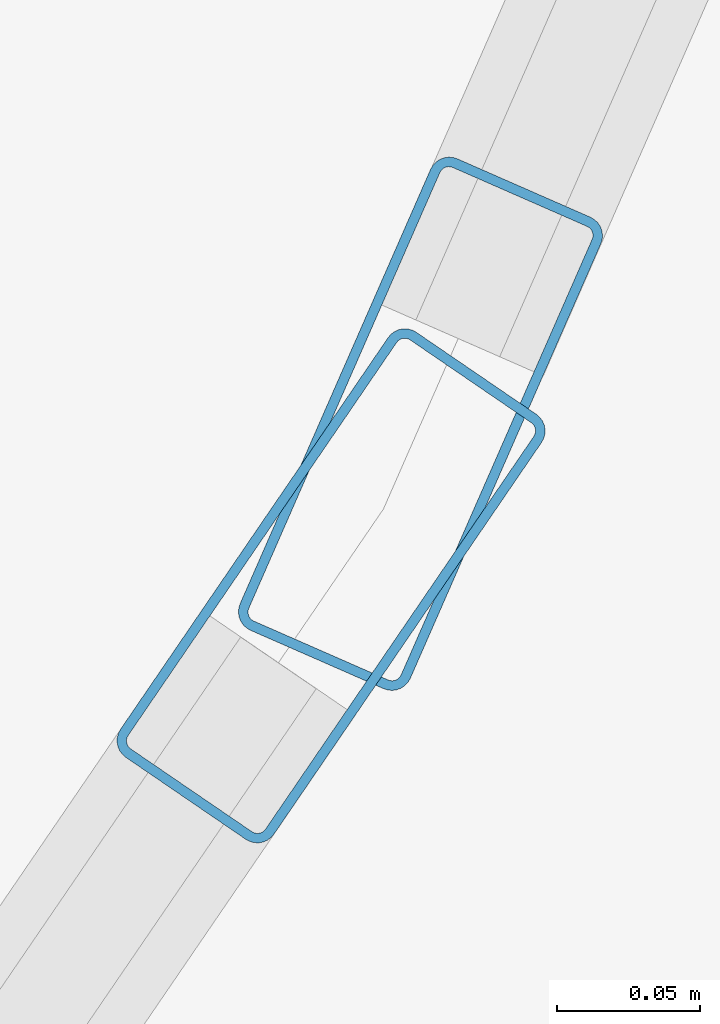
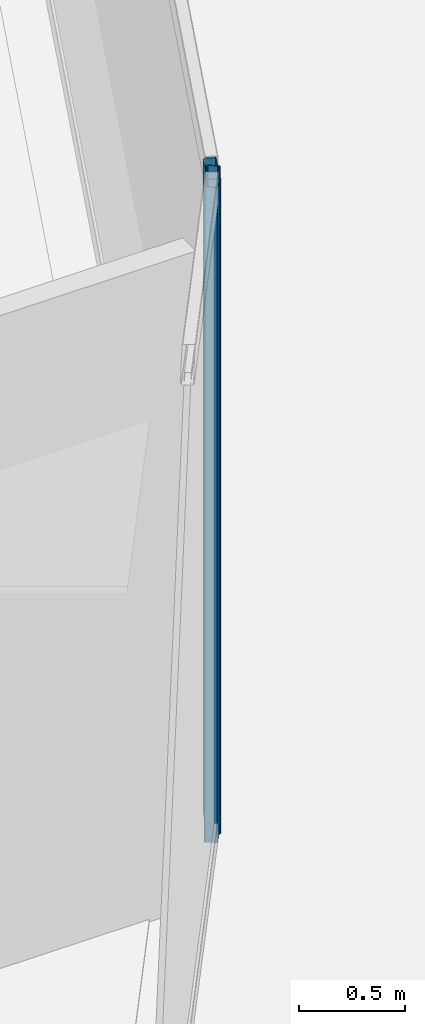
# One storey, part 10 of 44: 2 members, 2 elements without a shape of their own.
"""IFC4 building model written with IfcOpenShell, lengths in metres."""

from ifc_helpers import new_model, si_unit, direction, frame, origin, origin_2d, place, context, subcontext, project, spatial, hollow_rectangle, extrude, material, layer, layer_set, material_profile, profile_set, type_object, element, aggregate, save


model = new_model("IFC4")

# Units and contexts
model_context = context("Model", 3, precision=1e-05, world=origin(), true_north=direction((0.0, 1.0)))
body_context = subcontext(model_context, "Body", "Model", "MODEL_VIEW")
ifc_project = project(units=[si_unit("LENGTHUNIT", "METRE"), si_unit("AREAUNIT", "SQUARE_METRE"), si_unit("VOLUMEUNIT", "CUBIC_METRE"), si_unit("PLANEANGLEUNIT", "RADIAN"), si_unit("MASSUNIT", "GRAM", prefix="KILO")], contexts=[model_context])

# Site, building, storey
site_placement = place(None, origin())
site = spatial("IfcSite", under=ifc_project, at=site_placement, CompositionType="ELEMENT")
building_placement = place(site_placement, origin())
building = spatial("IfcBuilding", under=site, at=building_placement, Name="Qorvath Tower", CompositionType="ELEMENT")
storey_placement = place(building_placement, frame((0.0, 0.0, 113.85009765625)))
storey = spatial("IfcBuildingStorey", under=building, at=storey_placement, Name="L25", CompositionType="ELEMENT", Elevation=113.85009765625)

# Curtain wall, member
ifc_material_1 = material(Name="Anodised aluminium and triple low-E glass", Category="aluminium")
ifc_layer = layer(ifc_material_1, 0.179931640625)
ifc_layer_set = layer_set([ifc_layer], Name="CW-SYS-2")
curtain_wall_type = type_object("IfcCurtainWallType", Name="CW-SYS-2", PredefinedType="NOTDEFINED", material=ifc_layer_set)
curtain_wall_1_placement = place(storey_placement, origin())
curtain_wall_1 = element("IfcCurtainWall", 1, at=curtain_wall_1_placement, inside=storey, type_object=curtain_wall_type, Name="Curtain Wall CW-2 CW-T-L25-5.1", PredefinedType="NOTDEFINED")
ifc_material_2 = material(Name="Anodised aluminium 6063-T6", Category="aluminium")
ifc_material_profile = material_profile(ifc_material_2, hollow_rectangle(XDim=0.06494140625, YDim=0.179931640625, WallThickness=0.00341796875, InnerFilletRadius=0.00341796875, OuterFilletRadius=0.007080078125, at=origin_2d()), Name="CWM 180x65")
ifc_profile_set = profile_set([ifc_material_profile], Name="Anodised aluminium 6063-T6")
member_type = type_object("IfcMemberType", Name="CWM-180", PredefinedType="MULLION", material=ifc_profile_set)
member_1_placement = place(storey_placement, frame((0.60400390625, -18.207763671875, 0.0), z_axis=(0.0, 0.0, 1.0), x_axis=(-0.825695001763, 0.564116800019, 0.0)))
member_1 = element("IfcMember", 2, at=member_1_placement, type_object=member_type, Name="CW-2 mullion 2", PredefinedType="MULLION", context=body_context, shape_type="SweptSolid", body=[
    extrude(hollow_rectangle(XDim=0.06494140625, YDim=0.179931640625, WallThickness=0.00341796875, InnerFilletRadius=0.00341796875, OuterFilletRadius=0.007080078125, at=origin_2d()), origin(), (0.0, 0.0, 1.0), 3.77001953125),
])
aggregate(curtain_wall_1, [member_1])

curtain_wall_2_placement = place(storey_placement, origin())
curtain_wall_2 = element("IfcCurtainWall", 3, at=curtain_wall_2_placement, inside=storey, type_object=curtain_wall_type, Name="Curtain Wall CW-2 CW-T-L25-6.1", PredefinedType="NOTDEFINED")
member_2_placement = place(storey_placement, frame((0.63525390625, -18.151123046875, 0.0), z_axis=(0.0, 0.0, 1.0), x_axis=(-0.915821362935, 0.401585895161, 0.0)))
member_2 = element("IfcMember", 4, at=member_2_placement, type_object=member_type, Name="CW-2 mullion 1", PredefinedType="MULLION", context=body_context, shape_type="SweptSolid", body=[
    extrude(hollow_rectangle(XDim=0.06494140625, YDim=0.179931640625, WallThickness=0.00341796875, InnerFilletRadius=0.00341796875, OuterFilletRadius=0.007080078125, at=origin_2d()), origin(), (0.0, 0.0, 1.0), 3.77001953125),
])
aggregate(curtain_wall_2, [member_2])

save(model, "model.ifc")
